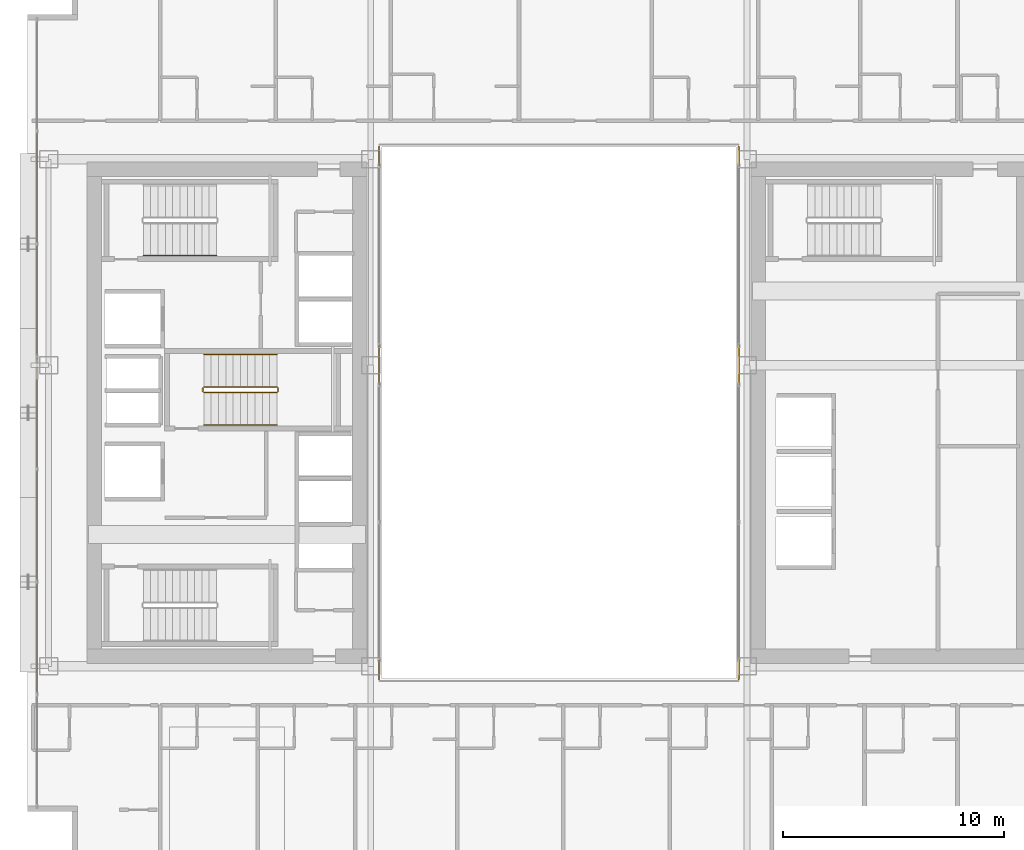
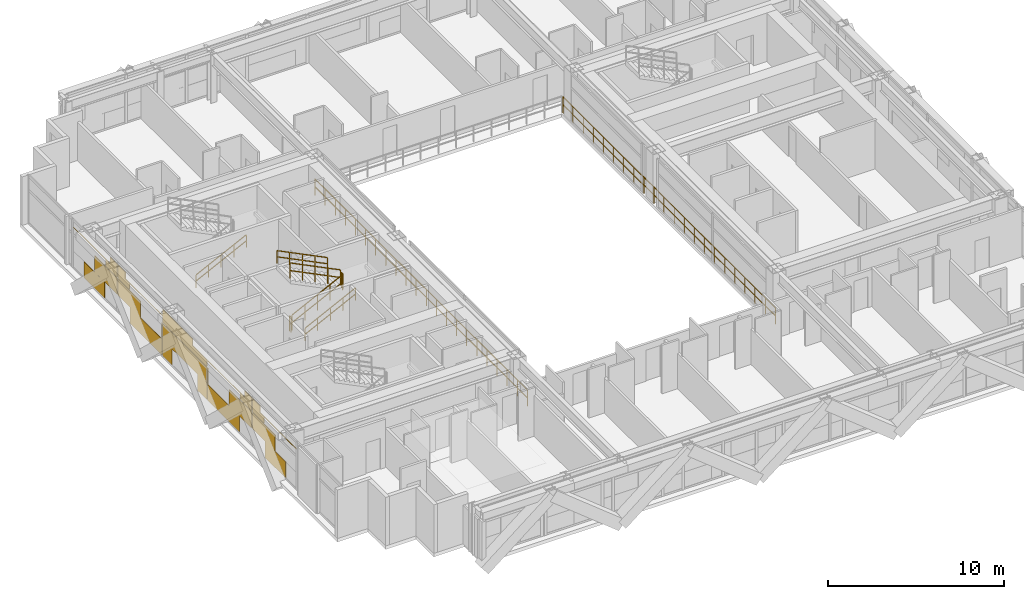
# One storey, part 37 of 39: 9 railings, 1 covering.
"""IFC4 building model written with IfcOpenShell, lengths in metres."""

from ifc_helpers import new_model, si_unit, direction, frame, origin, origin_2d, place, context, subcontext, project, spatial, rectangle, extrude, material, layer, layer_set, type_object, element, save


model = new_model("IFC4")

# Units and contexts
model_context = context("Model", 3, precision=1e-05, world=origin(), true_north=direction((0.0, 1.0)))
body_context = subcontext(model_context, "Body", "Model", "MODEL_VIEW")
ifc_project = project(units=[si_unit("LENGTHUNIT", "METRE"), si_unit("AREAUNIT", "SQUARE_METRE"), si_unit("VOLUMEUNIT", "CUBIC_METRE"), si_unit("PLANEANGLEUNIT", "RADIAN"), si_unit("MASSUNIT", "GRAM", prefix="KILO")], contexts=[model_context])

# Site, building, storey
site_placement = place(None, origin())
site = spatial("IfcSite", under=ifc_project, at=site_placement, CompositionType="ELEMENT")
building_placement = place(site_placement, origin())
building = spatial("IfcBuilding", under=site, at=building_placement, Name="Ocotamira Hotel", CompositionType="ELEMENT")
storey_placement = place(building_placement, frame((0.0, 0.0, 104.39990234375)))
storey = spatial("IfcBuildingStorey", under=building, at=storey_placement, Name="L25", CompositionType="ELEMENT", Elevation=104.39990234375)

# Covering
ifc_material_1 = material(Name="Insulated pale-metal aluminium spandrel panel", Category="aluminium")
ifc_layer = layer(ifc_material_1, 0.044921875)
ifc_layer_set = layer_set([ifc_layer], Name="Insulated pale-metal aluminium spandrel panel")
covering_type = type_object("IfcCoveringType", Name="COV-INFILL-45", PredefinedType="CLADDING", material=ifc_layer_set)
covering_placement = place(storey_placement, origin())
element("IfcCovering", 1, at=covering_placement, inside=storey, type_object=covering_type, Name="L25 Curtain Wall Infill CW-3 CW-L25-W", PredefinedType="CLADDING", context=body_context, shape_type="SweptSolid", body=[
    extrude(rectangle(XDim=2.35107421875, YDim=0.044921875, at=origin_2d()), frame((8.419921875, 15.741943359375, 0.07568359375), z_axis=(0.0, 0.0, 1.0), x_axis=(0.0, 1.0, 0.0)), (0.0, 0.0, 1.0), 1.117919921875),
    extrude(rectangle(XDim=2.578369140625, YDim=0.044921875, at=origin_2d()), frame((8.419921875, 17.041748046875, 1.1943359375), z_axis=(0.0, 0.0, 1.0), x_axis=(0.0, 1.0, 0.0)), (0.0, 0.0, 1.0), 1.117919921875),
    extrude(rectangle(XDim=5.004638671875, YDim=0.044921875, at=origin_2d()), frame((8.419921875, 15.82861328125, 2.802490234375), z_axis=(0.0, 0.0, 1.0), x_axis=(0.0, 1.0, 0.0)), (0.0, 0.0, 1.0), 0.033203125),
    extrude(rectangle(XDim=1.312744140625, YDim=0.044921875, at=origin_2d()), frame((8.419921875, 17.674560546875, 2.38818359375), z_axis=(0.0, 0.0, 1.0), x_axis=(0.0, 1.0, 0.0)), (0.0, 0.0, 1.0), 0.413330078125),
    extrude(rectangle(XDim=0.837158203125, YDim=0.044921875, at=origin_2d()), frame((8.419921875, 17.912353515625, 2.8369140625), z_axis=(0.0, 0.0, 1.0), x_axis=(0.0, 1.0, 0.0)), (0.0, 0.0, 1.0), 0.44775390625),
    extrude(rectangle(XDim=2.568603515625, YDim=0.044921875, at=origin_2d()), frame((8.419921875, 19.6962890625, 1.1943359375), z_axis=(0.0, 0.0, 1.0), x_axis=(0.0, 1.0, 0.0)), (0.0, 0.0, 1.0), 1.117919921875),
    extrude(rectangle(XDim=3.600830078125, YDim=0.044921875, at=origin_2d()), frame((8.419921875, 21.6162109375, 0.07568359375), z_axis=(0.0, 0.0, 1.0), x_axis=(0.0, 1.0, 0.0)), (0.0, 0.0, 1.0), 1.117919921875),
    extrude(rectangle(XDim=0.03076171875, YDim=0.044921875, at=origin_2d()), frame((8.419921875, 23.4013671875, 1.1943359375), z_axis=(0.0, 0.0, 1.0), x_axis=(0.0, 1.0, 0.0)), (0.0, 0.0, 1.0), 1.117919921875),
    extrude(rectangle(XDim=1.302978515625, YDim=0.044921875, at=origin_2d()), frame((8.419921875, 19.0634765625, 2.38818359375), z_axis=(0.0, 0.0, 1.0), x_axis=(0.0, 1.0, 0.0)), (0.0, 0.0, 1.0), 0.413330078125),
    extrude(rectangle(XDim=5.004638671875, YDim=0.044921875, at=origin_2d()), frame((8.419921875, 20.914306640625, 2.802490234375), z_axis=(0.0, 0.0, 1.0), x_axis=(0.0, 1.0, 0.0)), (0.0, 0.0, 1.0), 0.033203125),
    extrude(rectangle(XDim=0.827392578125, YDim=0.044921875, at=origin_2d()), frame((8.419921875, 18.82568359375, 2.8369140625), z_axis=(0.0, 0.0, 1.0), x_axis=(0.0, 1.0, 0.0)), (0.0, 0.0, 1.0), 0.44775390625),
    extrude(rectangle(XDim=1.05322265625, YDim=0.044921875, at=origin_2d()), frame((8.419921875, 24.0244140625, 0.07568359375), z_axis=(0.0, 0.0, 1.0), x_axis=(0.0, 1.0, 0.0)), (0.0, 0.0, 1.0), 1.117919921875),
    extrude(rectangle(XDim=5.004638671875, YDim=0.044921875, at=origin_2d()), frame((8.419921875, 26.0, 1.1943359375), z_axis=(0.0, 0.0, 1.0), x_axis=(0.0, 1.0, 0.0)), (0.0, 0.0, 1.0), 1.117919921875),
    extrude(rectangle(XDim=1.05322265625, YDim=0.044921875, at=origin_2d()), frame((8.419921875, 27.9755859375, 0.07568359375), z_axis=(0.0, 0.0, 1.0), x_axis=(0.0, 1.0, 0.0)), (0.0, 0.0, 1.0), 1.117919921875),
    extrude(rectangle(XDim=5.004638671875, YDim=0.044921875, at=origin_2d()), frame((8.419921875, 26.0, 2.387939453125), z_axis=(0.0, 0.0, 1.0), x_axis=(0.0, 1.0, 0.0)), (0.0, 0.0, 1.0), 0.44775390625),
    extrude(rectangle(XDim=3.375, YDim=0.044921875, at=origin_2d()), frame((8.419921875, 26.814697265625, 2.8369140625), z_axis=(0.0, 0.0, 1.0), x_axis=(0.0, 1.0, 0.0)), (0.0, 0.0, 1.0), 0.44775390625),
    extrude(rectangle(XDim=3.600830078125, YDim=0.044921875, at=origin_2d()), frame((8.419921875, 30.3837890625, 0.07568359375), z_axis=(0.0, 0.0, 1.0), x_axis=(0.0, 1.0, 0.0)), (0.0, 0.0, 1.0), 1.117919921875),
    extrude(rectangle(XDim=0.03076171875, YDim=0.044921875, at=origin_2d()), frame((8.419921875, 28.5986328125, 1.1943359375), z_axis=(0.0, 0.0, 1.0), x_axis=(0.0, 1.0, 0.0)), (0.0, 0.0, 1.0), 1.117919921875),
    extrude(rectangle(XDim=2.568603515625, YDim=0.044921875, at=origin_2d()), frame((8.419921875, 32.3037109375, 1.1943359375), z_axis=(0.0, 0.0, 1.0), x_axis=(0.0, 1.0, 0.0)), (0.0, 0.0, 1.0), 1.117919921875),
    extrude(rectangle(XDim=5.004638671875, YDim=0.044921875, at=origin_2d()), frame((8.419921875, 31.085693359375, 2.802490234375), z_axis=(0.0, 0.0, 1.0), x_axis=(0.0, 1.0, 0.0)), (0.0, 0.0, 1.0), 0.033203125),
    extrude(rectangle(XDim=1.302978515625, YDim=0.044921875, at=origin_2d()), frame((8.419921875, 32.9365234375, 2.38818359375), z_axis=(0.0, 0.0, 1.0), x_axis=(0.0, 1.0, 0.0)), (0.0, 0.0, 1.0), 0.413330078125),
    extrude(rectangle(XDim=0.827392578125, YDim=0.044921875, at=origin_2d()), frame((8.419921875, 33.17431640625, 2.8369140625), z_axis=(0.0, 0.0, 1.0), x_axis=(0.0, 1.0, 0.0)), (0.0, 0.0, 1.0), 0.44775390625),
    extrude(rectangle(XDim=2.578369140625, YDim=0.044921875, at=origin_2d()), frame((8.419921875, 34.958251953125, 1.1943359375), z_axis=(0.0, 0.0, 1.0), x_axis=(0.0, 1.0, 0.0)), (0.0, 0.0, 1.0), 1.117919921875),
    extrude(rectangle(XDim=2.35107421875, YDim=0.044921875, at=origin_2d()), frame((8.419921875, 36.258056640625, 0.07568359375), z_axis=(0.0, 0.0, 1.0), x_axis=(0.0, 1.0, 0.0)), (0.0, 0.0, 1.0), 1.117919921875),
    extrude(rectangle(XDim=1.312744140625, YDim=0.044921875, at=origin_2d()), frame((8.419921875, 34.325439453125, 2.38818359375), z_axis=(0.0, 0.0, 1.0), x_axis=(0.0, 1.0, 0.0)), (0.0, 0.0, 1.0), 0.413330078125),
    extrude(rectangle(XDim=5.004638671875, YDim=0.044921875, at=origin_2d()), frame((8.419921875, 36.17138671875, 2.802490234375), z_axis=(0.0, 0.0, 1.0), x_axis=(0.0, 1.0, 0.0)), (0.0, 0.0, 1.0), 0.033203125),
    extrude(rectangle(XDim=0.837158203125, YDim=0.044921875, at=origin_2d()), frame((8.419921875, 34.087646484375, 2.8369140625), z_axis=(0.0, 0.0, 1.0), x_axis=(0.0, 1.0, 0.0)), (0.0, 0.0, 1.0), 0.44775390625),
])

# Railings
ifc_material_2 = material(Name="Painted steel stair guardrail", Category="steel")
railing_type_1 = type_object("IfcRailingType", Name="RL-EDGE-1150", PredefinedType="GUARDRAIL", material=ifc_material_2)
railing_1_placement = place(storey_placement, frame((40.1201171875, 13.9599609375, 0.0)))
element("IfcRailing", 2, at=railing_1_placement, inside=storey, type_object=railing_type_1, Name="L25 Central Atrium Edge Guardrail E", PredefinedType="GUARDRAIL", context=body_context, shape_type="SweptSolid", body=[
    extrude(rectangle(XDim=0.048095703125, YDim=0.048095703125, at=origin_2d()), frame((0.0, 0.0, 1.1259765625), z_axis=(0.0, 1.0, 0.0), x_axis=(-1.0, 0.0, 0.0)), (0.0, 0.0, 1.0), 24.080078125),
    extrude(rectangle(XDim=0.048095703125, YDim=0.048095703125, at=origin_2d()), frame((0.0, 0.0, 0.574951171875), z_axis=(0.0, 1.0, 0.0), x_axis=(-1.0, 0.0, 0.0)), (0.0, 0.0, 1.0), 24.080078125),
    extrude(rectangle(XDim=0.0419921875, YDim=0.0419921875, at=origin_2d()), origin(), (0.0, 0.0, 1.0), 1.101806640625),
    extrude(rectangle(XDim=0.0419921875, YDim=0.0419921875, at=origin_2d()), frame((0.0, 1.146728515625, 0.0)), (0.0, 0.0, 1.0), 1.101806640625),
    extrude(rectangle(XDim=0.0419921875, YDim=0.0419921875, at=origin_2d()), frame((0.0, 2.29345703125, 0.0)), (0.0, 0.0, 1.0), 1.101806640625),
    extrude(rectangle(XDim=0.0419921875, YDim=0.0419921875, at=origin_2d()), frame((0.0, 3.43994140625, 0.0)), (0.0, 0.0, 1.0), 1.101806640625),
    extrude(rectangle(XDim=0.0419921875, YDim=0.0419921875, at=origin_2d()), frame((0.0, 4.586669921875, 0.0)), (0.0, 0.0, 1.0), 1.101806640625),
    extrude(rectangle(XDim=0.0419921875, YDim=0.0419921875, at=origin_2d()), frame((0.0, 5.7333984375, 0.0)), (0.0, 0.0, 1.0), 1.101806640625),
    extrude(rectangle(XDim=0.0419921875, YDim=0.0419921875, at=origin_2d()), frame((0.0, 6.880126953125, 0.0)), (0.0, 0.0, 1.0), 1.101806640625),
    extrude(rectangle(XDim=0.0419921875, YDim=0.0419921875, at=origin_2d()), frame((0.0, 8.026611328125, 0.0)), (0.0, 0.0, 1.0), 1.101806640625),
    extrude(rectangle(XDim=0.0419921875, YDim=0.0419921875, at=origin_2d()), frame((0.0, 9.17333984375, 0.0)), (0.0, 0.0, 1.0), 1.101806640625),
    extrude(rectangle(XDim=0.0419921875, YDim=0.0419921875, at=origin_2d()), frame((0.0, 10.320068359375, 0.0)), (0.0, 0.0, 1.0), 1.101806640625),
    extrude(rectangle(XDim=0.0419921875, YDim=0.0419921875, at=origin_2d()), frame((0.0, 11.466796875, 0.0)), (0.0, 0.0, 1.0), 1.101806640625),
    extrude(rectangle(XDim=0.0419921875, YDim=0.0419921875, at=origin_2d()), frame((0.0, 12.61328125, 0.0)), (0.0, 0.0, 1.0), 1.101806640625),
    extrude(rectangle(XDim=0.0419921875, YDim=0.0419921875, at=origin_2d()), frame((0.0, 13.760009765625, 0.0)), (0.0, 0.0, 1.0), 1.101806640625),
    extrude(rectangle(XDim=0.0419921875, YDim=0.0419921875, at=origin_2d()), frame((0.0, 14.90673828125, 0.0)), (0.0, 0.0, 1.0), 1.101806640625),
    extrude(rectangle(XDim=0.0419921875, YDim=0.0419921875, at=origin_2d()), frame((0.0, 16.053466796875, 0.0)), (0.0, 0.0, 1.0), 1.101806640625),
    extrude(rectangle(XDim=0.0419921875, YDim=0.0419921875, at=origin_2d()), frame((0.0, 17.199951171875, 0.0)), (0.0, 0.0, 1.0), 1.101806640625),
    extrude(rectangle(XDim=0.0419921875, YDim=0.0419921875, at=origin_2d()), frame((0.0, 18.3466796875, 0.0)), (0.0, 0.0, 1.0), 1.101806640625),
    extrude(rectangle(XDim=0.0419921875, YDim=0.0419921875, at=origin_2d()), frame((0.0, 19.493408203125, 0.0)), (0.0, 0.0, 1.0), 1.101806640625),
    extrude(rectangle(XDim=0.0419921875, YDim=0.0419921875, at=origin_2d()), frame((0.0, 20.64013671875, 0.0)), (0.0, 0.0, 1.0), 1.101806640625),
    extrude(rectangle(XDim=0.0419921875, YDim=0.0419921875, at=origin_2d()), frame((0.0, 21.78662109375, 0.0)), (0.0, 0.0, 1.0), 1.101806640625),
    extrude(rectangle(XDim=0.0419921875, YDim=0.0419921875, at=origin_2d()), frame((0.0, 22.933349609375, 0.0)), (0.0, 0.0, 1.0), 1.101806640625),
    extrude(rectangle(XDim=0.0419921875, YDim=0.0419921875, at=origin_2d()), frame((0.0, 24.080078125, 0.0)), (0.0, 0.0, 1.0), 1.101806640625),
])
railing_2_placement = place(storey_placement, frame((23.8798828125, 38.0400390625, 0.0)))
element("IfcRailing", 3, at=railing_2_placement, inside=storey, type_object=railing_type_1, Name="L25 Central Atrium Edge Guardrail W", PredefinedType="GUARDRAIL", context=body_context, shape_type="SweptSolid", body=[
    extrude(rectangle(XDim=0.048095703125, YDim=0.048095703125, at=origin_2d()), frame((0.0, 0.0, 1.1259765625), z_axis=(0.0, -1.0, 0.0), x_axis=(1.0, 0.0, 0.0)), (0.0, 0.0, 1.0), 24.080078125),
    extrude(rectangle(XDim=0.048095703125, YDim=0.048095703125, at=origin_2d()), frame((0.0, 0.0, 0.574951171875), z_axis=(0.0, -1.0, 0.0), x_axis=(1.0, 0.0, 0.0)), (0.0, 0.0, 1.0), 24.080078125),
    extrude(rectangle(XDim=0.0419921875, YDim=0.0419921875, at=origin_2d()), origin(), (0.0, 0.0, 1.0), 1.101806640625),
    extrude(rectangle(XDim=0.0419921875, YDim=0.0419921875, at=origin_2d()), frame((0.0, -1.146728515625, 0.0)), (0.0, 0.0, 1.0), 1.101806640625),
    extrude(rectangle(XDim=0.0419921875, YDim=0.0419921875, at=origin_2d()), frame((0.0, -2.29345703125, 0.0)), (0.0, 0.0, 1.0), 1.101806640625),
    extrude(rectangle(XDim=0.0419921875, YDim=0.0419921875, at=origin_2d()), frame((0.0, -3.43994140625, 0.0)), (0.0, 0.0, 1.0), 1.101806640625),
    extrude(rectangle(XDim=0.0419921875, YDim=0.0419921875, at=origin_2d()), frame((0.0, -4.586669921875, 0.0)), (0.0, 0.0, 1.0), 1.101806640625),
    extrude(rectangle(XDim=0.0419921875, YDim=0.0419921875, at=origin_2d()), frame((0.0, -5.7333984375, 0.0)), (0.0, 0.0, 1.0), 1.101806640625),
    extrude(rectangle(XDim=0.0419921875, YDim=0.0419921875, at=origin_2d()), frame((0.0, -6.880126953125, 0.0)), (0.0, 0.0, 1.0), 1.101806640625),
    extrude(rectangle(XDim=0.0419921875, YDim=0.0419921875, at=origin_2d()), frame((0.0, -8.026611328125, 0.0)), (0.0, 0.0, 1.0), 1.101806640625),
    extrude(rectangle(XDim=0.0419921875, YDim=0.0419921875, at=origin_2d()), frame((0.0, -9.17333984375, 0.0)), (0.0, 0.0, 1.0), 1.101806640625),
    extrude(rectangle(XDim=0.0419921875, YDim=0.0419921875, at=origin_2d()), frame((0.0, -10.320068359375, 0.0)), (0.0, 0.0, 1.0), 1.101806640625),
    extrude(rectangle(XDim=0.0419921875, YDim=0.0419921875, at=origin_2d()), frame((0.0, -11.466796875, 0.0)), (0.0, 0.0, 1.0), 1.101806640625),
    extrude(rectangle(XDim=0.0419921875, YDim=0.0419921875, at=origin_2d()), frame((0.0, -12.61328125, 0.0)), (0.0, 0.0, 1.0), 1.101806640625),
    extrude(rectangle(XDim=0.0419921875, YDim=0.0419921875, at=origin_2d()), frame((0.0, -13.760009765625, 0.0)), (0.0, 0.0, 1.0), 1.101806640625),
    extrude(rectangle(XDim=0.0419921875, YDim=0.0419921875, at=origin_2d()), frame((0.0, -14.90673828125, 0.0)), (0.0, 0.0, 1.0), 1.101806640625),
    extrude(rectangle(XDim=0.0419921875, YDim=0.0419921875, at=origin_2d()), frame((0.0, -16.053466796875, 0.0)), (0.0, 0.0, 1.0), 1.101806640625),
    extrude(rectangle(XDim=0.0419921875, YDim=0.0419921875, at=origin_2d()), frame((0.0, -17.199951171875, 0.0)), (0.0, 0.0, 1.0), 1.101806640625),
    extrude(rectangle(XDim=0.0419921875, YDim=0.0419921875, at=origin_2d()), frame((0.0, -18.3466796875, 0.0)), (0.0, 0.0, 1.0), 1.101806640625),
    extrude(rectangle(XDim=0.0419921875, YDim=0.0419921875, at=origin_2d()), frame((0.0, -19.493408203125, 0.0)), (0.0, 0.0, 1.0), 1.101806640625),
    extrude(rectangle(XDim=0.0419921875, YDim=0.0419921875, at=origin_2d()), frame((0.0, -20.64013671875, 0.0)), (0.0, 0.0, 1.0), 1.101806640625),
    extrude(rectangle(XDim=0.0419921875, YDim=0.0419921875, at=origin_2d()), frame((0.0, -21.78662109375, 0.0)), (0.0, 0.0, 1.0), 1.101806640625),
    extrude(rectangle(XDim=0.0419921875, YDim=0.0419921875, at=origin_2d()), frame((0.0, -22.933349609375, 0.0)), (0.0, 0.0, 1.0), 1.101806640625),
    extrude(rectangle(XDim=0.0419921875, YDim=0.0419921875, at=origin_2d()), frame((0.0, -24.080078125, 0.0)), (0.0, 0.0, 1.0), 1.101806640625),
])
ifc_material_3 = material(Name="Brushed stainless steel handrail", Category="steel")
railing_type_2 = type_object("IfcRailingType", Name="RL-HAND-900", PredefinedType="HANDRAIL", material=ifc_material_3)
for number, where, name in (
    (4, (13.22998046875, 33.10009765625, 0.327392578125), "L25 ST-2 stair handrail 1"),
    (5, (15.9599609375, 25.449951171875, 0.327392578125), "L25 ST-3 stair handrail 1"),
):
    element("IfcRailing", number, at=place(storey_placement, frame(where)), inside=storey, type_object=railing_type_2, Name=name, PredefinedType="HANDRAIL", context=body_context, shape_type="SweptSolid", body=[
        extrude(rectangle(XDim=0.048095703125, YDim=0.048095703125, at=origin_2d()), frame((0.0, 0.0, 0.8759765625), z_axis=(0.895920123917, 0.0, 0.444215186098), x_axis=(0.0, 1.0, 0.0)), (0.0, 0.0, 1.0), 3.683349609375),
        extrude(rectangle(XDim=0.048095703125, YDim=0.048095703125, at=origin_2d()), frame((0.0, 0.0, 0.449951171875), z_axis=(0.895920123917, 0.0, 0.444215186098), x_axis=(0.0, 1.0, 0.0)), (0.0, 0.0, 1.0), 3.683349609375),
        extrude(rectangle(XDim=0.0419921875, YDim=0.0419921875, at=origin_2d()), origin(), (0.0, 0.0, 1.0), 0.851806640625),
        extrude(rectangle(XDim=0.0419921875, YDim=0.0419921875, at=origin_2d()), frame((0.824951171875, 0.0, 0.4091796875)), (0.0, 0.0, 1.0), 0.851806640625),
        extrude(rectangle(XDim=0.0419921875, YDim=0.0419921875, at=origin_2d()), frame((1.64990234375, 0.0, 0.818115234375)), (0.0, 0.0, 1.0), 0.851806640625),
        extrude(rectangle(XDim=0.0419921875, YDim=0.0419921875, at=origin_2d()), frame((2.47509765625, 0.0, 1.22705078125)), (0.0, 0.0, 1.0), 0.851806640625),
        extrude(rectangle(XDim=0.0419921875, YDim=0.0419921875, at=origin_2d()), frame((3.300048828125, 0.0, 1.63623046875)), (0.0, 0.0, 1.0), 0.851806640625),
    ])
railing_3_placement = place(storey_placement, frame((19.260009765625, 28.6298828125, 2.12744140625)))
element("IfcRailing", 6, at=railing_3_placement, inside=storey, type_object=railing_type_2, Name="L25 ST-3 stair handrail 2", PredefinedType="HANDRAIL", context=body_context, shape_type="SweptSolid", body=[
    extrude(rectangle(XDim=0.048095703125, YDim=0.048095703125, at=origin_2d()), frame((0.0, 0.0, 0.8759765625), z_axis=(-0.895920123917, 0.0, 0.444215186098), x_axis=(0.0, -1.0, 0.0)), (0.0, 0.0, 1.0), 3.683349609375),
    extrude(rectangle(XDim=0.048095703125, YDim=0.048095703125, at=origin_2d()), frame((0.0, 0.0, 0.449951171875), z_axis=(-0.895920123917, 0.0, 0.444215186098), x_axis=(0.0, -1.0, 0.0)), (0.0, 0.0, 1.0), 3.683349609375),
    extrude(rectangle(XDim=0.0419921875, YDim=0.0419921875, at=origin_2d()), origin(), (0.0, 0.0, 1.0), 0.851806640625),
    extrude(rectangle(XDim=0.0419921875, YDim=0.0419921875, at=origin_2d()), frame((-0.824951171875, 0.0, 0.4091796875)), (0.0, 0.0, 1.0), 0.851806640625),
    extrude(rectangle(XDim=0.0419921875, YDim=0.0419921875, at=origin_2d()), frame((-1.64990234375, 0.0, 0.818115234375)), (0.0, 0.0, 1.0), 0.851806640625),
    extrude(rectangle(XDim=0.0419921875, YDim=0.0419921875, at=origin_2d()), frame((-2.47509765625, 0.0, 1.22705078125)), (0.0, 0.0, 1.0), 0.851806640625),
    extrude(rectangle(XDim=0.0419921875, YDim=0.0419921875, at=origin_2d()), frame((-3.300048828125, 0.0, 1.63623046875)), (0.0, 0.0, 1.0), 0.851806640625),
])
railing_type_3 = type_object("IfcRailingType", Name="RL-STAIR-1100", PredefinedType="GUARDRAIL", material=ifc_material_2)
railing_4_placement = place(storey_placement, frame((15.9599609375, 26.909912109375, 0.163818359375)))
element("IfcRailing", 7, at=railing_4_placement, inside=storey, type_object=railing_type_3, Name="L25 ST-3 stair guard 1", PredefinedType="GUARDRAIL", context=body_context, shape_type="SweptSolid", body=[
    extrude(rectangle(XDim=0.048095703125, YDim=0.048095703125, at=origin_2d()), frame((0.0, 0.0, 1.076171875), z_axis=(0.895920123917, 0.0, 0.444215186098), x_axis=(0.0, 1.0, 0.0)), (0.0, 0.0, 1.0), 3.683349609375),
    extrude(rectangle(XDim=0.048095703125, YDim=0.048095703125, at=origin_2d()), frame((0.0, 0.0, 0.550048828125), z_axis=(0.895920123917, 0.0, 0.444215186098), x_axis=(0.0, 1.0, 0.0)), (0.0, 0.0, 1.0), 3.683349609375),
    extrude(rectangle(XDim=0.0419921875, YDim=0.0419921875, at=origin_2d()), origin(), (0.0, 0.0, 1.0), 1.052001953125),
    extrude(rectangle(XDim=0.0419921875, YDim=0.0419921875, at=origin_2d()), frame((0.824951171875, 0.0, 0.4091796875)), (0.0, 0.0, 1.0), 1.052001953125),
    extrude(rectangle(XDim=0.0419921875, YDim=0.0419921875, at=origin_2d()), frame((1.64990234375, 0.0, 0.818115234375)), (0.0, 0.0, 1.0), 1.052001953125),
    extrude(rectangle(XDim=0.0419921875, YDim=0.0419921875, at=origin_2d()), frame((2.47509765625, 0.0, 1.22705078125)), (0.0, 0.0, 1.0), 1.052001953125),
    extrude(rectangle(XDim=0.0419921875, YDim=0.0419921875, at=origin_2d()), frame((3.300048828125, 0.0, 1.63623046875)), (0.0, 0.0, 1.0), 1.052001953125),
])
railing_5_placement = place(storey_placement, frame((19.31005859375, 26.9599609375, 1.800048828125)))
element("IfcRailing", 8, at=railing_5_placement, inside=storey, type_object=railing_type_3, Name="L25 ST-3 stair guard 2", PredefinedType="GUARDRAIL", context=body_context, shape_type="SweptSolid", body=[
    extrude(rectangle(XDim=0.048095703125, YDim=0.048095703125, at=origin_2d()), frame((0.0, 0.0, 1.076171875), z_axis=(0.0, 1.0, 0.0), x_axis=(-1.0, 0.0, 0.0)), (0.0, 0.0, 1.0), 0.16015625),
    extrude(rectangle(XDim=0.048095703125, YDim=0.048095703125, at=origin_2d()), frame((0.0, 0.0, 0.550048828125), z_axis=(0.0, 1.0, 0.0), x_axis=(-1.0, 0.0, 0.0)), (0.0, 0.0, 1.0), 0.16015625),
    extrude(rectangle(XDim=0.0419921875, YDim=0.0419921875, at=origin_2d()), origin(), (0.0, 0.0, 1.0), 1.052001953125),
    extrude(rectangle(XDim=0.0419921875, YDim=0.0419921875, at=origin_2d()), frame((0.0, 0.16015625, 0.0)), (0.0, 0.0, 1.0), 1.052001953125),
])
railing_6_placement = place(storey_placement, frame((19.260009765625, 27.169921875, 1.963623046875)))
element("IfcRailing", 9, at=railing_6_placement, inside=storey, type_object=railing_type_3, Name="L25 ST-3 stair guard 3", PredefinedType="GUARDRAIL", context=body_context, shape_type="SweptSolid", body=[
    extrude(rectangle(XDim=0.048095703125, YDim=0.048095703125, at=origin_2d()), frame((0.0, 0.0, 1.076171875), z_axis=(-0.895893744519, 0.0, 0.4442683857), x_axis=(0.0, -1.0, 0.0)), (0.0, 0.0, 1.0), 3.68359375),
    extrude(rectangle(XDim=0.048095703125, YDim=0.048095703125, at=origin_2d()), frame((0.0, 0.0, 0.550048828125), z_axis=(-0.895893744519, 0.0, 0.4442683857), x_axis=(0.0, -1.0, 0.0)), (0.0, 0.0, 1.0), 3.68359375),
    extrude(rectangle(XDim=0.0419921875, YDim=0.0419921875, at=origin_2d()), origin(), (0.0, 0.0, 1.0), 1.052001953125),
    extrude(rectangle(XDim=0.0419921875, YDim=0.0419921875, at=origin_2d()), frame((-0.824951171875, 0.0, 0.4091796875)), (0.0, 0.0, 1.0), 1.052001953125),
    extrude(rectangle(XDim=0.0419921875, YDim=0.0419921875, at=origin_2d()), frame((-1.64990234375, 0.0, 0.818359375)), (0.0, 0.0, 1.0), 1.052001953125),
    extrude(rectangle(XDim=0.0419921875, YDim=0.0419921875, at=origin_2d()), frame((-2.47509765625, 0.0, 1.227294921875)), (0.0, 0.0, 1.0), 1.052001953125),
    extrude(rectangle(XDim=0.0419921875, YDim=0.0419921875, at=origin_2d()), frame((-3.300048828125, 0.0, 1.636474609375)), (0.0, 0.0, 1.0), 1.052001953125),
])
railing_7_placement = place(storey_placement, frame((15.909912109375, 26.9599609375, 0.0)))
element("IfcRailing", 10, at=railing_7_placement, inside=storey, type_object=railing_type_3, Name="L25 ST-3 stair guard 4", PredefinedType="GUARDRAIL", context=body_context, shape_type="SweptSolid", body=[
    extrude(rectangle(XDim=0.048095703125, YDim=0.048095703125, at=origin_2d()), frame((0.0, 0.0, 1.076171875), z_axis=(0.0, 1.0, 0.0), x_axis=(-1.0, 0.0, 0.0)), (0.0, 0.0, 1.0), 0.16015625),
    extrude(rectangle(XDim=0.048095703125, YDim=0.048095703125, at=origin_2d()), frame((0.0, 0.0, 0.550048828125), z_axis=(0.0, 1.0, 0.0), x_axis=(-1.0, 0.0, 0.0)), (0.0, 0.0, 1.0), 0.16015625),
    extrude(rectangle(XDim=0.0419921875, YDim=0.0419921875, at=origin_2d()), origin(), (0.0, 0.0, 1.0), 1.052001953125),
    extrude(rectangle(XDim=0.0419921875, YDim=0.0419921875, at=origin_2d()), frame((0.0, 0.16015625, 0.0)), (0.0, 0.0, 1.0), 1.052001953125),
])

save(model, "model.ifc")
